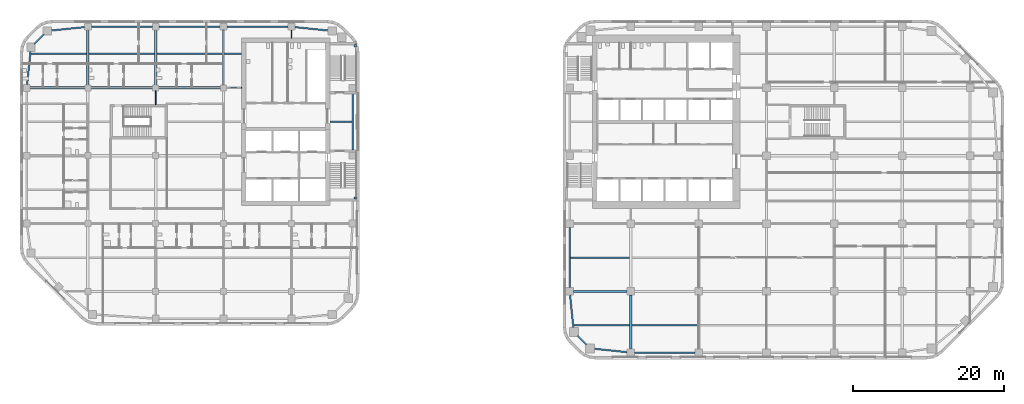
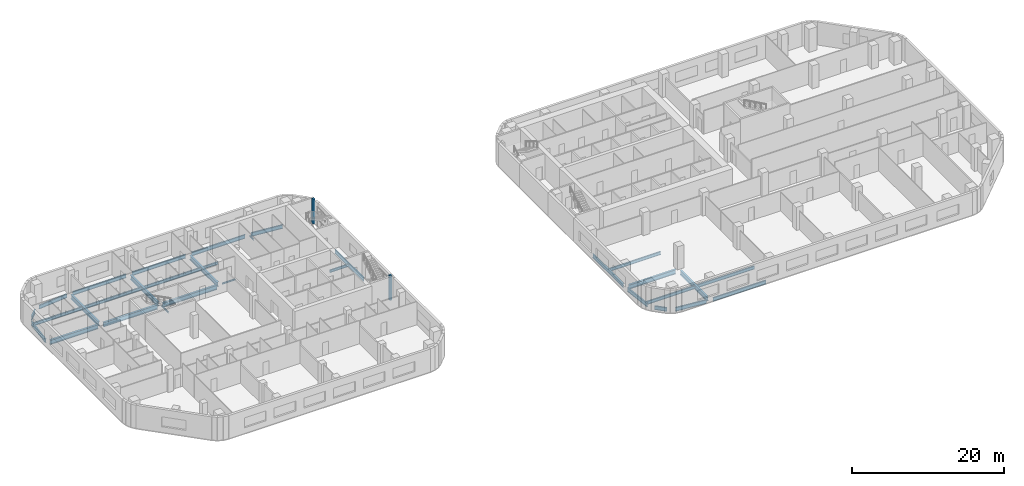
# One storey, part 2 of 16: 32 beams, 2 members.
"""IFC4 building model written with IfcOpenShell, lengths in metres."""

from ifc_helpers import new_model, si_unit, direction, frame, origin, origin_2d, place, context, subcontext, project, spatial, rectangle, i_section, extrude, material, material_profile, profile_set, type_object, element, save


model = new_model("IFC4")

# Units and contexts
model_context = context("Model", 3, precision=1e-05, world=origin(), true_north=direction((0.0, 1.0)))
body_context = subcontext(model_context, "Body", "Model", "MODEL_VIEW")
ifc_project = project(units=[si_unit("LENGTHUNIT", "METRE"), si_unit("AREAUNIT", "SQUARE_METRE"), si_unit("VOLUMEUNIT", "CUBIC_METRE"), si_unit("PLANEANGLEUNIT", "RADIAN"), si_unit("MASSUNIT", "GRAM", prefix="KILO")], contexts=[model_context])

# Site, building, storey
site_placement = place(None, origin())
site = spatial("IfcSite", under=ifc_project, at=site_placement, CompositionType="ELEMENT")
building_placement = place(site_placement, origin())
building = spatial("IfcBuilding", under=site, at=building_placement, Name="Cinnabar Reach Civic Tower", CompositionType="ELEMENT")
storey_placement = place(building_placement, frame((0.0, 0.0, 42.0)))
storey = spatial("IfcBuildingStorey", under=building, at=storey_placement, Name="L09", CompositionType="ELEMENT", Elevation=42.0)

# Beams
ifc_material_1 = material(Name="Steel Q355B", Category="steel")
ifc_material_profile_1 = material_profile(ifc_material_1, i_section(OverallWidth=0.099, OverallDepth=0.198, WebThickness=0.0045, FlangeThickness=0.007, FilletRadius=0.013, at=origin_2d()), Name="HN200x100x5.5x8")
ifc_profile_set_1 = profile_set([ifc_material_profile_1], Name="Steel Q355B")
beam_type_1 = type_object("IfcBeamType", Name="HN200x100x5.5x8 beam R 120", PredefinedType="BEAM", material=ifc_profile_set_1)
beam_1_placement = place(storey_placement, frame((-54.0, 33.752, -0.249), z_axis=(0.0, 1.0, 0.0), x_axis=(-1.0, 0.0, 0.0)))
element("IfcBeam", 1, at=beam_1_placement, inside=storey, type_object=beam_type_1, Name="Girder T2 L09 10", PredefinedType="BEAM", context=body_context, shape_type="SweptSolid", body=[
    extrude(i_section(OverallWidth=0.099, OverallDepth=0.198, WebThickness=0.0045, FlangeThickness=0.007, FilletRadius=0.013, at=origin_2d()), origin(), (0.0, 0.0, 1.0), 1.846),
])
beam_2_placement = place(storey_placement, frame((-36.0, 42.602, -0.249), z_axis=(0.0, 1.0, 0.0), x_axis=(-1.0, 0.0, 0.0)))
element("IfcBeam", 2, at=beam_2_placement, inside=storey, type_object=beam_type_1, Name="Girder T2 L09 20", PredefinedType="BEAM", context=body_context, shape_type="SweptSolid", body=[
    extrude(i_section(OverallWidth=0.099, OverallDepth=0.198, WebThickness=0.0045, FlangeThickness=0.007, FilletRadius=0.013, at=origin_2d()), origin(), (0.0, 0.0, 1.0), 1.046),
])
ifc_material_profile_2 = material_profile(ifc_material_1, i_section(OverallWidth=0.124, OverallDepth=0.248, WebThickness=0.005, FlangeThickness=0.008, FilletRadius=0.013, at=origin_2d()), Name="HN250x125x6x9")
ifc_profile_set_2 = profile_set([ifc_material_profile_2], Name="Steel Q355B")
beam_type_2 = type_object("IfcBeamType", Name="HN250x125x6x9 beam R 120", PredefinedType="BEAM", material=ifc_profile_set_2)
beam_3_placement = place(storey_placement, frame((-44.598, 36.0, -0.274), z_axis=(1.0, 0.0, 0.0), x_axis=(0.0, 1.0, 0.0)))
element("IfcBeam", 3, at=beam_3_placement, inside=storey, type_object=beam_type_2, Name="Girder T2 L09 18", PredefinedType="BEAM", context=body_context, shape_type="SweptSolid", body=[
    extrude(i_section(OverallWidth=0.124, OverallDepth=0.248, WebThickness=0.005, FlangeThickness=0.008, FilletRadius=0.013, at=origin_2d()), origin(), (0.0, 0.0, 1.0), 1.996),
])
ifc_material_profile_3 = material_profile(ifc_material_1, i_section(OverallWidth=0.2, OverallDepth=0.4, WebThickness=0.008, FlangeThickness=0.013, FilletRadius=0.016, at=origin_2d()), Name="HN400x200x8x13")
ifc_profile_set_3 = profile_set([ifc_material_profile_3], Name="Steel Q355B")
beam_type_3 = type_object("IfcBeamType", Name="HN400x200x8x13 beam R 120", PredefinedType="BEAM", material=ifc_profile_set_3)
beam_4_placement = place(storey_placement, frame((-30.898, 31.5, -0.35), z_axis=(1.0, 0.0, 0.0), x_axis=(0.0, 1.0, 0.0)))
element("IfcBeam", 4, at=beam_4_placement, inside=storey, type_object=beam_type_3, Name="Secondary beam T2 L09 14", PredefinedType="BEAM", context=body_context, shape_type="SweptSolid", body=[
    extrude(i_section(OverallWidth=0.2, OverallDepth=0.4, WebThickness=0.008, FlangeThickness=0.013, FilletRadius=0.016, at=origin_2d()), origin(), (0.0, 0.0, 1.0), 2.896),
])
beam_5_placement = place(storey_placement, frame((-44.848, 40.5, -0.35), z_axis=(1.0, 0.0, 0.0), x_axis=(0.0, 1.0, 0.0)))
element("IfcBeam", 5, at=beam_5_placement, inside=storey, type_object=beam_type_3, Name="Secondary beam T2 L09 18", PredefinedType="BEAM", context=body_context, shape_type="SweptSolid", body=[
    extrude(i_section(OverallWidth=0.2, OverallDepth=0.4, WebThickness=0.008, FlangeThickness=0.013, FilletRadius=0.016, at=origin_2d()), origin(), (0.0, 0.0, 1.0), 2.246),
])
ifc_material_profile_4 = material_profile(ifc_material_1, i_section(OverallWidth=0.2, OverallDepth=0.5, WebThickness=0.01, FlangeThickness=0.016, FilletRadius=0.016, at=origin_2d()), Name="HN500x200x10x16")
ifc_profile_set_4 = profile_set([ifc_material_profile_4], Name="Steel Q355B")
beam_type_4 = type_object("IfcBeamType", Name="HN500x200x10x16 beam R 120", PredefinedType="BEAM", material=ifc_profile_set_4)
beam_6_placement = place(storey_placement, frame((-70.5364, 40.5, -0.4), z_axis=(1.0, 0.0, 0.0), x_axis=(0.0, 1.0, 0.0)))
element("IfcBeam", 6, at=beam_6_placement, inside=storey, type_object=beam_type_4, Name="Secondary beam T2 L09 15", PredefinedType="BEAM", context=body_context, shape_type="SweptSolid", body=[
    extrude(i_section(OverallWidth=0.2, OverallDepth=0.5, WebThickness=0.01, FlangeThickness=0.016, FilletRadius=0.016, at=origin_2d()), origin(), (0.0, 0.0, 1.0), 7.3844),
])
for number, where, z_axis, x_axis, name in (
    (7, (-62.848, 40.5, -0.4), (1.0, 0.0, 0.0), (0.0, 1.0, 0.0), "Secondary beam T2 L09 16"),
    (8, (-53.848, 40.5, -0.4), (1.0, 0.0, 0.0), (0.0, 1.0, 0.0), "Secondary beam T2 L09 17"),
):
    element("IfcBeam", number, at=place(storey_placement, frame(where, z_axis=z_axis, x_axis=x_axis)), inside=storey, type_object=beam_type_4, Name=name, PredefinedType="BEAM", context=body_context, shape_type="SweptSolid", body=[
        extrude(i_section(OverallWidth=0.2, OverallDepth=0.5, WebThickness=0.01, FlangeThickness=0.016, FilletRadius=0.016, at=origin_2d()), origin(), (0.0, 0.0, 1.0), 8.696),
    ])
ifc_material_profile_5 = material_profile(ifc_material_1, i_section(OverallWidth=0.2, OverallDepth=0.5, WebThickness=0.01, FlangeThickness=0.016, FilletRadius=0.016, at=origin_2d()), Name="HN500x200x10x16")
ifc_profile_set_5 = profile_set([ifc_material_profile_5], Name="Steel Q355B")
beam_type_5 = type_object("IfcBeamType", Name="HN500x200x10x16 beam R 180", PredefinedType="BEAM", material=ifc_profile_set_5)
beam_7_placement = place(storey_placement, frame((1.4636, 4.5, -0.4), z_axis=(1.0, 0.0, 0.0), x_axis=(0.0, 1.0, 0.0)))
element("IfcBeam", 9, at=beam_7_placement, inside=storey, type_object=beam_type_5, Name="Secondary beam T1 L09 1", PredefinedType="BEAM", context=body_context, shape_type="SweptSolid", body=[
    extrude(i_section(OverallWidth=0.2, OverallDepth=0.5, WebThickness=0.01, FlangeThickness=0.016, FilletRadius=0.016, at=origin_2d()), origin(), (0.0, 0.0, 1.0), 7.3844),
])
beam_8_placement = place(storey_placement, frame((9.152, 4.5, -0.4), z_axis=(1.0, 0.0, 0.0), x_axis=(0.0, 1.0, 0.0)))
element("IfcBeam", 10, at=beam_8_placement, inside=storey, type_object=beam_type_5, Name="Secondary beam T1 L09 2", PredefinedType="BEAM", context=body_context, shape_type="SweptSolid", body=[
    extrude(i_section(OverallWidth=0.2, OverallDepth=0.5, WebThickness=0.01, FlangeThickness=0.016, FilletRadius=0.016, at=origin_2d()), origin(), (0.0, 0.0, 1.0), 8.696),
])
beam_9_placement = place(storey_placement, frame((1.002, 13.5, -0.4), z_axis=(1.0, 0.0, 0.0), x_axis=(0.0, 1.0, 0.0)))
element("IfcBeam", 11, at=beam_9_placement, inside=storey, type_object=beam_type_5, Name="Secondary beam T1 L09 7", PredefinedType="BEAM", context=body_context, shape_type="SweptSolid", body=[
    extrude(i_section(OverallWidth=0.2, OverallDepth=0.5, WebThickness=0.01, FlangeThickness=0.016, FilletRadius=0.016, at=origin_2d()), origin(), (0.0, 0.0, 1.0), 7.846),
])
ifc_material_profile_6 = material_profile(ifc_material_1, i_section(OverallWidth=0.2, OverallDepth=0.6, WebThickness=0.011, FlangeThickness=0.017, FilletRadius=0.016, at=origin_2d()), Name="HN600x200x11x17")
ifc_profile_set_6 = profile_set([ifc_material_profile_6], Name="Steel Q355B")
beam_type_6 = type_object("IfcBeamType", Name="HN600x200x11x17 beam R 120", PredefinedType="BEAM", material=ifc_profile_set_6)
beam_10_placement = place(storey_placement, frame((-27.9, 27.752, -0.45), z_axis=(0.0, 1.0, 0.0), x_axis=(-1.0, 0.0, 0.0)))
element("IfcBeam", 12, at=beam_10_placement, inside=storey, type_object=beam_type_6, Name="Edge beam T2 L09 8", PredefinedType="BEAM", context=body_context, shape_type="SweptSolid", body=[
    extrude(i_section(OverallWidth=0.2, OverallDepth=0.6, WebThickness=0.011, FlangeThickness=0.017, FilletRadius=0.016, at=origin_2d()), origin(), (0.0, 0.0, 1.0), 7.496),
])
beam_11_placement = place(storey_placement, frame((-31.0339, 43.5912, -0.45), z_axis=(-0.994792272495, 0.101923179821, 0.0), x_axis=(-0.101923179821, -0.994792272495, 0.0)))
element("IfcBeam", 13, at=beam_11_placement, inside=storey, type_object=beam_type_6, Name="Edge beam T2 L09 9", PredefinedType="BEAM", context=body_context, shape_type="SweptSolid", body=[
    extrude(i_section(OverallWidth=0.2, OverallDepth=0.6, WebThickness=0.011, FlangeThickness=0.017, FilletRadius=0.016, at=origin_2d()), origin(), (0.0, 0.0, 1.0), 4.5377),
])
for number, where, z_axis, x_axis, name in (
    (14, (-36.452, 44.1, -0.45), (-1.0, 0.0, 0.0), (0.0, -1.0, 0.0), "Edge beam T2 L09 10"),
    (15, (-45.452, 44.1, -0.45), (-1.0, 0.0, 0.0), (0.0, -1.0, 0.0), "Edge beam T2 L09 11"),
    (16, (-54.452, 44.1, -0.45), (-1.0, 0.0, 0.0), (0.0, -1.0, 0.0), "Edge beam T2 L09 12"),
):
    element("IfcBeam", number, at=place(storey_placement, frame(where, z_axis=z_axis, x_axis=x_axis)), inside=storey, type_object=beam_type_6, Name=name, PredefinedType="BEAM", context=body_context, shape_type="SweptSolid", body=[
        extrude(i_section(OverallWidth=0.2, OverallDepth=0.6, WebThickness=0.011, FlangeThickness=0.017, FilletRadius=0.016, at=origin_2d()), origin(), (0.0, 0.0, 1.0), 8.096),
    ])
beam_12_placement = place(storey_placement, frame((-63.452, 44.0537, -0.45), z_axis=(-0.994792272495, -0.101923179821, 0.0), x_axis=(0.101923179821, -0.994792272495, 0.0)))
element("IfcBeam", 17, at=beam_12_placement, inside=storey, type_object=beam_type_6, Name="Edge beam T2 L09 13", PredefinedType="BEAM", context=body_context, shape_type="SweptSolid", body=[
    extrude(i_section(OverallWidth=0.2, OverallDepth=0.6, WebThickness=0.011, FlangeThickness=0.017, FilletRadius=0.016, at=origin_2d()), origin(), (0.0, 0.0, 1.0), 4.5377),
])
beam_13_placement = place(storey_placement, frame((-68.8301, 43.1149, -0.45), z_axis=(-0.707106781187, -0.707106781187, 0.0), x_axis=(0.707106781187, -0.707106781187, 0.0)))
element("IfcBeam", 18, at=beam_13_placement, inside=storey, type_object=beam_type_6, Name="Edge beam T2 L09 14", PredefinedType="BEAM", context=body_context, shape_type="SweptSolid", body=[
    extrude(i_section(OverallWidth=0.2, OverallDepth=0.6, WebThickness=0.011, FlangeThickness=0.017, FilletRadius=0.016, at=origin_2d()), origin(), (0.0, 0.0, 1.0), 1.817),
])
beam_14_placement = place(storey_placement, frame((-70.5912, 40.9661, -0.45), z_axis=(-0.101923179821, -0.994792272495, 0.0), x_axis=(0.994792272495, -0.101923179821, 0.0)))
element("IfcBeam", 19, at=beam_14_placement, inside=storey, type_object=beam_type_6, Name="Edge beam T2 L09 15", PredefinedType="BEAM", context=body_context, shape_type="SweptSolid", body=[
    extrude(i_section(OverallWidth=0.2, OverallDepth=0.6, WebThickness=0.011, FlangeThickness=0.017, FilletRadius=0.016, at=origin_2d()), origin(), (0.0, 0.0, 1.0), 4.5377),
])
ifc_material_profile_7 = material_profile(ifc_material_1, i_section(OverallWidth=0.2, OverallDepth=0.6, WebThickness=0.011, FlangeThickness=0.017, FilletRadius=0.016, at=origin_2d()), Name="HN600x200x11x17")
ifc_profile_set_7 = profile_set([ifc_material_profile_7], Name="Steel Q355B")
beam_type_7 = type_object("IfcBeamType", Name="HN600x200x11x17 beam R 180", PredefinedType="BEAM", material=ifc_profile_set_7)
beam_15_placement = place(storey_placement, frame((4.0839, 1.4037, -0.45), z_axis=(0.994791228755, -0.101933366432, 0.0), x_axis=(0.101933366432, 0.994791228755, 0.0)))
element("IfcBeam", 20, at=beam_15_placement, inside=storey, type_object=beam_type_7, Name="Edge beam T1 L09 1", PredefinedType="BEAM", context=body_context, shape_type="SweptSolid", body=[
    extrude(i_section(OverallWidth=0.2, OverallDepth=0.6, WebThickness=0.011, FlangeThickness=0.017, FilletRadius=0.016, at=origin_2d()), origin(), (0.0, 0.0, 1.0), 4.4372),
])
for number, where, z_axis, x_axis, name in (
    (21, (9.502, 0.9, -0.45), (1.0, 0.0, 0.0), (0.0, 1.0, 0.0), "Edge beam T1 L09 2"),
    (22, (0.9, 17.498, -0.45), (0.0, -1.0, 0.0), (1.0, 0.0, 0.0), "Edge beam T1 L09 22"),
):
    element("IfcBeam", number, at=place(storey_placement, frame(where, z_axis=z_axis, x_axis=x_axis)), inside=storey, type_object=beam_type_7, Name=name, PredefinedType="BEAM", context=body_context, shape_type="SweptSolid", body=[
        extrude(i_section(OverallWidth=0.2, OverallDepth=0.6, WebThickness=0.011, FlangeThickness=0.017, FilletRadius=0.016, at=origin_2d()), origin(), (0.0, 0.0, 1.0), 7.996),
    ])
beam_16_placement = place(storey_placement, frame((0.9514, 8.498, -0.45), z_axis=(0.101933366432, -0.994791228755, 0.0), x_axis=(0.994791228755, 0.101933366432, 0.0)))
element("IfcBeam", 23, at=beam_16_placement, inside=storey, type_object=beam_type_7, Name="Edge beam T1 L09 23", PredefinedType="BEAM", context=body_context, shape_type="SweptSolid", body=[
    extrude(i_section(OverallWidth=0.2, OverallDepth=0.6, WebThickness=0.011, FlangeThickness=0.017, FilletRadius=0.016, at=origin_2d()), origin(), (0.0, 0.0, 1.0), 4.4372),
])
beam_17_placement = place(storey_placement, frame((1.9351, 3.1199, -0.45), z_axis=(0.707106781187, -0.707106781187, 0.0), x_axis=(0.707106781187, 0.707106781187, 0.0)))
element("IfcBeam", 24, at=beam_17_placement, inside=storey, type_object=beam_type_7, Name="Edge beam T1 L09 24", PredefinedType="BEAM", context=body_context, shape_type="SweptSolid", body=[
    extrude(i_section(OverallWidth=0.2, OverallDepth=0.6, WebThickness=0.011, FlangeThickness=0.017, FilletRadius=0.016, at=origin_2d()), origin(), (0.0, 0.0, 1.0), 1.6756),
])
ifc_material_profile_8 = material_profile(ifc_material_1, i_section(OverallWidth=0.3, OverallDepth=0.692, WebThickness=0.013, FlangeThickness=0.02, FilletRadius=0.016, at=origin_2d()), Name="HN692x300x13x20")
ifc_profile_set_8 = profile_set([ifc_material_profile_8], Name="Steel Q355B")
beam_type_8 = type_object("IfcBeamType", Name="HN692x300x13x20 beam R 120", PredefinedType="BEAM", material=ifc_profile_set_8)
for number, where, z_axis, x_axis, name in (
    (25, (-63.0, 36.402, -0.496), (0.0, 1.0, 0.0), (-1.0, 0.0, 0.0), "Girder T2 L09 5"),
    (26, (-54.0, 36.402, -0.496), (0.0, 1.0, 0.0), (-1.0, 0.0, 0.0), "Girder T2 L09 11"),
    (27, (-45.0, 36.402, -0.496), (0.0, 1.0, 0.0), (-1.0, 0.0, 0.0), "Girder T2 L09 16"),
):
    element("IfcBeam", number, at=place(storey_placement, frame(where, z_axis=z_axis, x_axis=x_axis)), inside=storey, type_object=beam_type_8, Name=name, PredefinedType="BEAM", context=body_context, shape_type="SweptSolid", body=[
        extrude(i_section(OverallWidth=0.3, OverallDepth=0.692, WebThickness=0.013, FlangeThickness=0.02, FilletRadius=0.016, at=origin_2d()), origin(), (0.0, 0.0, 1.0), 7.246),
    ])
ifc_material_profile_9 = material_profile(ifc_material_1, i_section(OverallWidth=0.3, OverallDepth=0.692, WebThickness=0.013, FlangeThickness=0.02, FilletRadius=0.016, at=origin_2d()), Name="HN692x300x13x20")
ifc_profile_set_9 = profile_set([ifc_material_profile_9], Name="Steel Q355B")
beam_type_9 = type_object("IfcBeamType", Name="HN692x300x13x20 beam R 180", PredefinedType="BEAM", material=ifc_profile_set_9)
beam_18_placement = place(storey_placement, frame((9.0, 1.402, -0.496), z_axis=(0.0, 1.0, 0.0), x_axis=(-1.0, 0.0, 0.0)))
element("IfcBeam", 28, at=beam_18_placement, inside=storey, type_object=beam_type_9, Name="Girder T1 L09 1", PredefinedType="BEAM", context=body_context, shape_type="SweptSolid", body=[
    extrude(i_section(OverallWidth=0.3, OverallDepth=0.692, WebThickness=0.013, FlangeThickness=0.02, FilletRadius=0.016, at=origin_2d()), origin(), (0.0, 0.0, 1.0), 7.096),
])
ifc_material_profile_10 = material_profile(ifc_material_1, i_section(OverallWidth=0.3, OverallDepth=0.7, WebThickness=0.013, FlangeThickness=0.024, FilletRadius=0.02, at=origin_2d()), Name="HN700x300x13x24")
ifc_profile_set_10 = profile_set([ifc_material_profile_10], Name="Steel Q355B")
beam_type_10 = type_object("IfcBeamType", Name="HN700x300x13x24 beam R 120", PredefinedType="BEAM", material=ifc_profile_set_10)
beam_19_placement = place(storey_placement, frame((-70.648, 36.0, -0.5), z_axis=(1.0, 0.0, 0.0), x_axis=(0.0, 1.0, 0.0)))
element("IfcBeam", 29, at=beam_19_placement, inside=storey, type_object=beam_type_10, Name="Girder T2 L09 15", PredefinedType="BEAM", context=body_context, shape_type="SweptSolid", body=[
    extrude(i_section(OverallWidth=0.3, OverallDepth=0.7, WebThickness=0.013, FlangeThickness=0.024, FilletRadius=0.02, at=origin_2d()), origin(), (0.0, 0.0, 1.0), 7.246),
])
for number, where, z_axis, x_axis, name in (
    (30, (-62.598, 36.0, -0.5), (1.0, 0.0, 0.0), (0.0, 1.0, 0.0), "Girder T2 L09 16"),
    (31, (-53.598, 36.0, -0.5), (1.0, 0.0, 0.0), (0.0, 1.0, 0.0), "Girder T2 L09 17"),
):
    element("IfcBeam", number, at=place(storey_placement, frame(where, z_axis=z_axis, x_axis=x_axis)), inside=storey, type_object=beam_type_10, Name=name, PredefinedType="BEAM", context=body_context, shape_type="SweptSolid", body=[
        extrude(i_section(OverallWidth=0.3, OverallDepth=0.7, WebThickness=0.013, FlangeThickness=0.024, FilletRadius=0.02, at=origin_2d()), origin(), (0.0, 0.0, 1.0), 8.196),
    ])
ifc_material_profile_11 = material_profile(ifc_material_1, i_section(OverallWidth=0.3, OverallDepth=0.7, WebThickness=0.013, FlangeThickness=0.024, FilletRadius=0.02, at=origin_2d()), Name="HN700x300x13x24")
ifc_profile_set_11 = profile_set([ifc_material_profile_11], Name="Steel Q355B")
beam_type_11 = type_object("IfcBeamType", Name="HN700x300x13x24 beam R 180", PredefinedType="BEAM", material=ifc_profile_set_11)
beam_20_placement = place(storey_placement, frame((1.402, 9.0, -0.5), z_axis=(1.0, 0.0, 0.0), x_axis=(0.0, 1.0, 0.0)))
element("IfcBeam", 32, at=beam_20_placement, inside=storey, type_object=beam_type_11, Name="Girder T1 L09 1", PredefinedType="BEAM", context=body_context, shape_type="SweptSolid", body=[
    extrude(i_section(OverallWidth=0.3, OverallDepth=0.7, WebThickness=0.013, FlangeThickness=0.024, FilletRadius=0.02, at=origin_2d()), origin(), (0.0, 0.0, 1.0), 7.096),
])

# Members
ifc_material_2 = material(Name="Concrete C40", Category="concrete")
ifc_material_profile_12 = material_profile(ifc_material_2, rectangle(XDim=0.3, YDim=0.3, at=origin_2d()), Name="C300")
ifc_profile_set_12 = profile_set([ifc_material_profile_12], Name="Concrete C40")
member_type = type_object("IfcMemberType", Name="T2 stair post 300", PredefinedType="STRUT", material=ifc_profile_set_12)
for number, where, z_axis, x_axis, name in (
    (33, (-27.55, 21.4, 0.0), (0.0, 0.0, 1.0), (1.0, 0.0, 0.0), "Stair post 1"),
    (34, (-27.55, 41.6, 0.0), (0.0, 0.0, 1.0), (1.0, 0.0, 0.0), "Stair post 2"),
):
    element("IfcMember", number, at=place(storey_placement, frame(where, z_axis=z_axis, x_axis=x_axis)), inside=storey, type_object=member_type, Name=name, PredefinedType="STRUT", context=body_context, shape_type="SweptSolid", body=[
        extrude(rectangle(XDim=0.3, YDim=0.3, at=origin_2d()), origin(), (0.0, 0.0, 1.0), 4.0),
    ])

save(model, "model.ifc")
